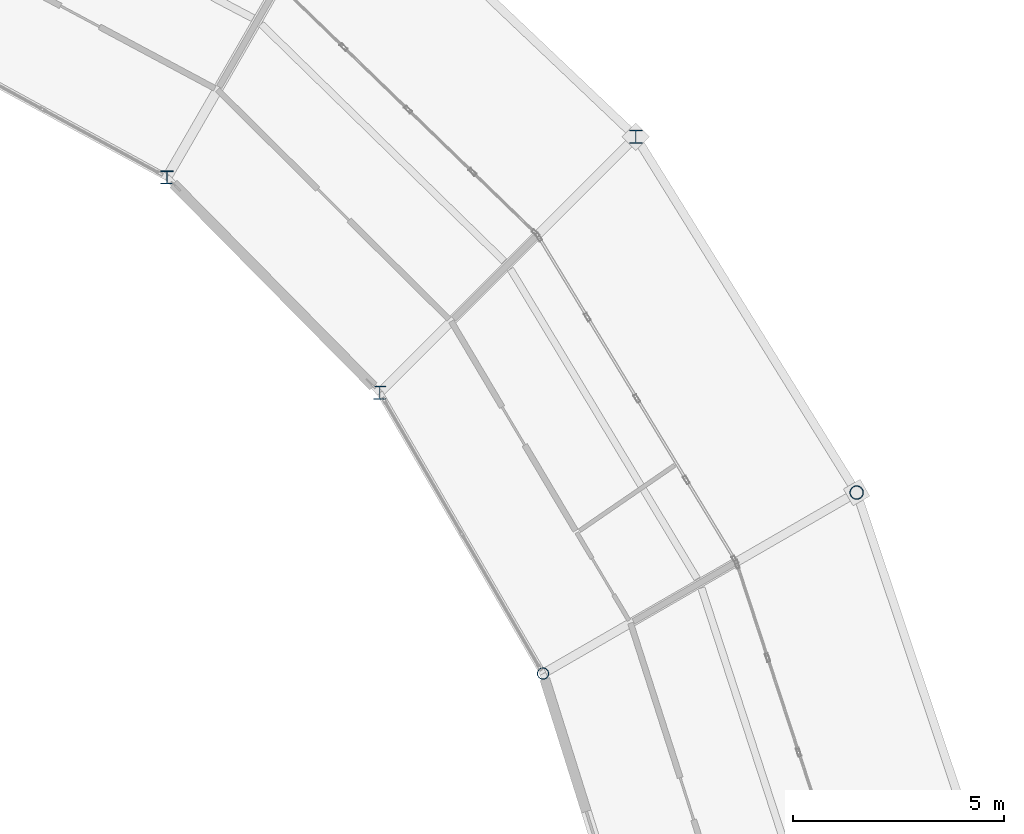
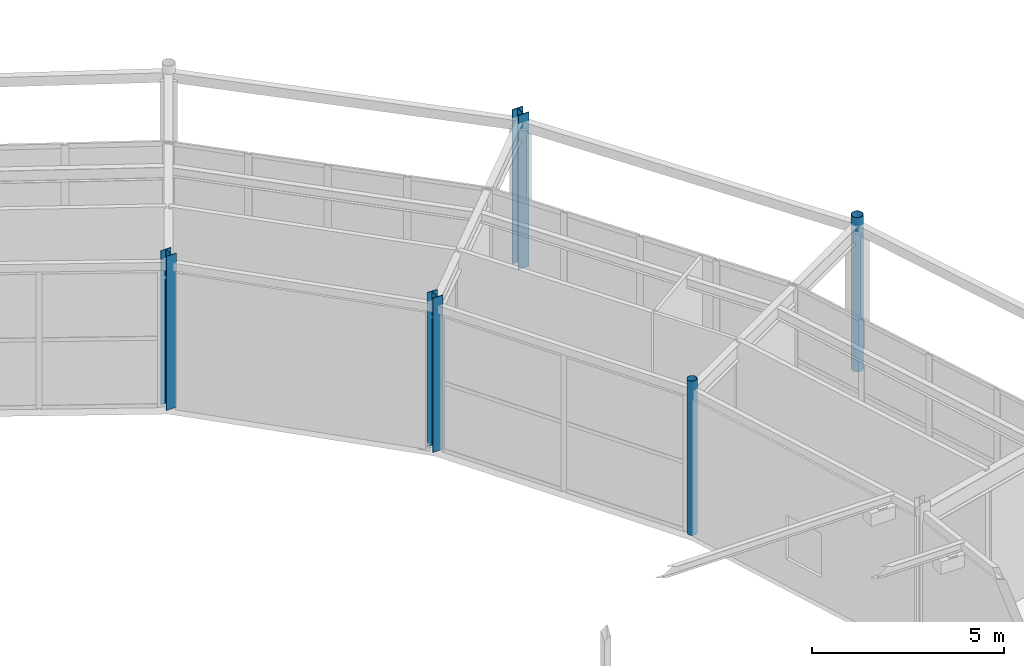
# One storey, part 15 of 144: 5 columns.
"""IFC4 building model written with IfcOpenShell, lengths in metres."""

import ifcopenshell
import ifcopenshell.guid

model = None  # the IFC model being written
_history = None  # IfcOwnerHistory: only IFC2X3 demands one
_inside = {}  # id of a spatial element -> (the spatial element, [elements in it])
_under = {}  # id of a project, library or spatial element -> (it, [spatial elements below it])
_declared = {}  # id of a project -> (the project, [libraries it declares])
_typed = {}  # id of a type object -> (the type object, [elements of that type])
_made_of = {}  # id of a material, layer set ... -> (it, [elements and type objects made of it])


def new_model(schema):
    """Start an empty IFC model of exactly this schema.

    Asked for "IFC4X3", IfcOpenShell would pick the latest addendum, in which some entities
    have other attributes; the version numbers below select the first issue.
    IFC2X3 requires an IfcOwnerHistory on every rooted entity: one is made here for all.
    """
    global model, _history
    if schema == "IFC4X3":
        model = ifcopenshell.file(schema_version=(4, 3, 0, 0))
    else:
        model = ifcopenshell.file(schema=schema)
    _inside.clear()
    _under.clear()
    _declared.clear()
    _typed.clear()
    _made_of.clear()
    _history = None
    if model.schema == "IFC2X3":
        org = make("IfcOrganization", Name="unknown")
        user = make(
            "IfcPersonAndOrganization",
            ThePerson=make("IfcPerson", FamilyName="unknown"),
            TheOrganization=org,
        )
        app = make(
            "IfcApplication",
            ApplicationDeveloper=org,
            Version="unknown",
            ApplicationFullName="unknown",
            ApplicationIdentifier="unknown",
        )
        _history = make(
            "IfcOwnerHistory",
            OwningUser=user,
            OwningApplication=app,
            ChangeAction="ADDED",
            CreationDate=0,
        )
    return model


def make(cls, **values):
    """One entity of the class cls with the attributes given. An attribute that is None is left unset."""
    return model.create_entity(
        cls, **{name: value for name, value in values.items() if value is not None}
    )


def rooted(cls, **values):
    """An entity with a GlobalId (a new one), such as an element, a storey or a relation."""
    return make(cls, GlobalId=ifcopenshell.guid.new(), OwnerHistory=_history, **values)


def si_unit(unit_type, name, prefix=None):
    """IfcSIUnit, for example si_unit("LENGTHUNIT", "METRE", prefix="MILLI")."""
    return make("IfcSIUnit", UnitType=unit_type, Prefix=prefix, Name=name)


def assignment(units):
    """IfcUnitAssignment: the units of a project."""
    return None if units is None else make("IfcUnitAssignment", Units=units)


def point(xyz):
    """IfcCartesianPoint."""
    return None if xyz is None else make("IfcCartesianPoint", Coordinates=xyz)


def direction(xyz):
    """IfcDirection."""
    return None if xyz is None else make("IfcDirection", DirectionRatios=xyz)


def frame(location, z_axis=None, x_axis=None):
    """IfcAxis2Placement3D, a coordinate frame: its origin and axes. An axis left out is left unset."""
    return make(
        "IfcAxis2Placement3D",
        Location=point(location),
        Axis=direction(z_axis),
        RefDirection=direction(x_axis),
    )


def frame_2d(location, x_axis=None):
    """IfcAxis2Placement2D, a coordinate frame in the plane: its origin and x axis."""
    return make(
        "IfcAxis2Placement2D", Location=point(location), RefDirection=direction(x_axis)
    )


def origin():
    """The frame at (0, 0, 0) with its axes left unset."""
    return frame((0.0, 0.0, 0.0))


def origin_2d():
    """The frame at (0, 0) in the plane with its x axis left unset."""
    return frame_2d((0.0, 0.0))


def place(relative_to, where):
    """IfcLocalPlacement: puts the frame where relative to a parent placement (None: the world)."""
    return make(
        "IfcLocalPlacement", PlacementRelTo=relative_to, RelativePlacement=where
    )


def context(
    kind, dimensions, precision=None, world=None, true_north=None, identifier=None
):
    """IfcGeometricRepresentationContext, for example the 3D "Model" context."""
    return make(
        "IfcGeometricRepresentationContext",
        ContextIdentifier=identifier,
        ContextType=kind,
        CoordinateSpaceDimension=dimensions,
        Precision=precision,
        WorldCoordinateSystem=world,
        TrueNorth=true_north,
    )


def subcontext(parent, identifier, kind, view, scale=None):
    """IfcGeometricRepresentationSubContext, for example "Body" below "Model"."""
    return make(
        "IfcGeometricRepresentationSubContext",
        ContextIdentifier=identifier,
        ContextType=kind,
        ParentContext=parent,
        TargetScale=scale,
        TargetView=view,
    )


def project(units=None, contexts=None):
    """IfcProject with its units and contexts."""
    return rooted(
        "IfcProject",
        Name="project",
        RepresentationContexts=contexts,
        UnitsInContext=assignment(units),
    )


def spatial(cls, under=None, at=None, **own):
    """A site, building, storey or space (cls), placed at a placement, below another one or the project."""
    s = rooted(cls, ObjectPlacement=at, **own)
    if under is not None:
        _under.setdefault(under.id(), (under, []))[1].append(s)
    return s


def profile(cls, at=None, kind="AREA", **sizes):
    """A parametric profile (cls). Its sizes go by their IFC names, for example OverallWidth=200.0."""
    return make(cls, ProfileType=kind, Position=at, **sizes)


def hollow_circle(**sizes):
    """IfcCircleHollowProfileDef."""
    return profile("IfcCircleHollowProfileDef", **sizes)


def i_section(**sizes):
    """IfcIShapeProfileDef."""
    return profile("IfcIShapeProfileDef", **sizes)


def extrude(swept, where, along, depth):
    """IfcExtrudedAreaSolid: the profile swept, set in the frame where, extruded along a direction by depth."""
    return make(
        "IfcExtrudedAreaSolid",
        SweptArea=swept,
        Position=where,
        ExtrudedDirection=direction(along),
        Depth=depth,
    )


def shape(context_of_items, identifier, shape_type, items):
    """IfcShapeRepresentation: the items that make up one representation, for example the "Body"."""
    return make(
        "IfcShapeRepresentation",
        ContextOfItems=context_of_items,
        RepresentationIdentifier=identifier,
        RepresentationType=shape_type,
        Items=items,
    )


def material(Name=None, Category=None):
    """IfcMaterial."""
    return make("IfcMaterial", Name=Name, Category=Category)


def material_profile(
    of_material, cross_section, Name=None, Category=None, Priority=None
):
    """IfcMaterialProfile: a cross section and its material."""
    return make(
        "IfcMaterialProfile",
        Name=Name,
        Material=of_material,
        Profile=cross_section,
        Priority=Priority,
        Category=Category,
    )


def profile_set(profiles, Name=None, composite=None):
    """IfcMaterialProfileSet."""
    return make(
        "IfcMaterialProfileSet",
        Name=Name,
        MaterialProfiles=profiles,
        CompositeProfile=composite,
    )


def made_of(thing, what):
    """Note that an element or type object is made of a material, layer set ...; save() writes the relation."""
    if what is not None:
        _made_of.setdefault(what.id(), (what, []))[1].append(thing)
    return thing


def type_object(cls, material=None, **own):
    """A type object (cls), such as IfcWallType, which elements share."""
    return made_of(rooted(cls, **own), material)


def element(
    cls,
    number,
    at=None,
    inside=None,
    cuts=None,
    type_object=None,
    material=None,
    context=None,
    identifier="Body",
    shape_type=None,
    held_by="IfcProductDefinitionShape",
    body=None,
    shapes=None,
    **own,
):
    """One element of the class cls, such as IfcWall. Its Tag is "e" and its number.

    at: its placement. inside: the storey or other place that contains it. cuts: it is an
    opening in that element (IfcRelVoidsElement). A single representation is given by context,
    identifier, shape_type and body (its items); several are given by shapes. held_by: the class
    of the entity that holds the representations. save() writes the other relations.
    """
    e = rooted(cls, Tag="e%d" % number, ObjectPlacement=at, **own)
    if body is not None:
        shapes = [shape(context, identifier, shape_type, body)]
    if shapes is not None:
        e.Representation = make(held_by, Representations=shapes)
    if inside is not None:
        _inside.setdefault(inside.id(), (inside, []))[1].append(e)
    if cuts is not None:
        rooted(
            "IfcRelVoidsElement", RelatingBuildingElement=cuts, RelatedOpeningElement=e
        )
    if type_object is not None:
        _typed.setdefault(type_object.id(), (type_object, []))[1].append(e)
    return made_of(e, material)


def aggregate(whole, parts):
    """IfcRelAggregates: a whole, such as a stair, and the parts it consists of."""
    return rooted("IfcRelAggregates", RelatingObject=whole, RelatedObjects=parts)


def save(model, path):
    """Write the relations noted so far, then the file.

    IfcRelAggregates (storeys below a building ...), IfcRelContainedInSpatialStructure (elements
    in a storey), IfcRelDefinesByType, IfcRelAssociatesMaterial and IfcRelDeclares: one each for
    every whole, place, type object, material and project.
    """
    for whole, parts in _under.values():
        aggregate(whole, parts)
    for where, things in _inside.values():
        rooted(
            "IfcRelContainedInSpatialStructure",
            RelatedElements=things,
            RelatingStructure=where,
        )
    for kind, things in _typed.values():
        rooted("IfcRelDefinesByType", RelatedObjects=things, RelatingType=kind)
    for what, things in _made_of.values():
        rooted("IfcRelAssociatesMaterial", RelatedObjects=things, RelatingMaterial=what)
    for by, libraries in _declared.values():
        rooted("IfcRelDeclares", RelatingContext=by, RelatedDefinitions=libraries)
    model.write(path)


model = new_model("IFC4")

# Units and contexts
model_context = context("Model", 3, precision=1e-05, world=origin(), true_north=direction((0.0, 1.0)))
body_context = subcontext(model_context, "Body", "Model", "MODEL_VIEW")
ifc_project = project(units=[si_unit("LENGTHUNIT", "METRE"), si_unit("AREAUNIT", "SQUARE_METRE"), si_unit("VOLUMEUNIT", "CUBIC_METRE"), si_unit("PLANEANGLEUNIT", "RADIAN"), si_unit("MASSUNIT", "GRAM", prefix="KILO")], contexts=[model_context])

# Site, building, storey
site_placement = place(None, origin())
site = spatial("IfcSite", under=ifc_project, at=site_placement, CompositionType="ELEMENT")
building_placement = place(site_placement, origin())
building = spatial("IfcBuilding", under=site, at=building_placement, Name="Karori Crest Natural Sciences Institute", CompositionType="ELEMENT")
storey_placement = place(building_placement, origin())
storey = spatial("IfcBuildingStorey", under=building, at=storey_placement, Name="L00", CompositionType="ELEMENT", Elevation=0.0)

# Columns
ifc_material_1 = material(Name="Structural steel AS/NZS 3679.1 Grade 350", Category="steel")
ifc_material_profile_1 = material_profile(ifc_material_1, i_section(OverallWidth=0.31103515625, OverallDepth=0.326904296875, WebThickness=0.015625, FlangeThickness=0.02490234375, FilletRadius=0.01708984375, at=origin_2d()), Name="310UC158")
ifc_profile_set_1 = profile_set([ifc_material_profile_1], Name="Structural steel AS/NZS 3679.1 Grade 350")
column_type_1 = type_object("IfcColumnType", Name="CT-04", PredefinedType="COLUMN", material=ifc_profile_set_1)
column_1_placement = place(storey_placement, frame((89.734619140625, 78.75, 0.0), z_axis=(0.0, 0.0, 1.0), x_axis=(1.0, 0.0, 0.0)))
element("IfcColumn", 1, at=column_1_placement, inside=storey, type_object=column_type_1, Name="Column C-0057", PredefinedType="COLUMN", context=body_context, shape_type="SweptSolid", body=[
    extrude(i_section(OverallWidth=0.31103515625, OverallDepth=0.326904296875, WebThickness=0.015625, FlangeThickness=0.02490234375, FilletRadius=0.01708984375, at=origin_2d()), origin(), (0.0, 0.0, 1.0), 4.89990234375),
])
ifc_material_profile_2 = material_profile(ifc_material_1, i_section(OverallWidth=0.306884765625, OverallDepth=0.31494140625, WebThickness=0.011962890625, FlangeThickness=0.018798828125, FilletRadius=0.01708984375, at=origin_2d()), Name="310UC118")
ifc_profile_set_2 = profile_set([ifc_material_profile_2], Name="Structural steel AS/NZS 3679.1 Grade 350")
column_type_2 = type_object("IfcColumnType", Name="CT-05", PredefinedType="COLUMN", material=ifc_profile_set_2)
column_2_placement = place(storey_placement, frame((83.6533203125, 72.668701171875, 0.0), z_axis=(0.0, 0.0, 1.0), x_axis=(1.0, 0.0, 0.0)))
element("IfcColumn", 2, at=column_2_placement, inside=storey, type_object=column_type_2, Name="Column C-0058", PredefinedType="COLUMN", context=body_context, shape_type="SweptSolid", body=[
    extrude(i_section(OverallWidth=0.306884765625, OverallDepth=0.31494140625, WebThickness=0.011962890625, FlangeThickness=0.018798828125, FilletRadius=0.01708984375, at=origin_2d()), origin(), (0.0, 0.0, 1.0), 4.89990234375),
])
ifc_material_2 = material(Name="Hollow structural steel AS/NZS 1163 Grade C350", Category="steel")
ifc_material_profile_3 = material_profile(ifc_material_2, hollow_circle(Radius=0.161865234375, WallThickness=0.0126953125, at=origin_2d()), Name="CHS323.9x12.7")
ifc_profile_set_3 = profile_set([ifc_material_profile_3], Name="Hollow structural steel AS/NZS 1163 Grade C350")
column_type_3 = type_object("IfcColumnType", Name="CT-15", PredefinedType="COLUMN", material=ifc_profile_set_3)
column_3_placement = place(storey_placement, frame((94.978759765625, 70.300048828125, 0.0), z_axis=(0.0, 0.0, 1.0), x_axis=(1.0, 0.0, 0.0)))
element("IfcColumn", 3, at=column_3_placement, inside=storey, type_object=column_type_3, Name="Column C-0039", PredefinedType="COLUMN", context=body_context, shape_type="SweptSolid", body=[
    extrude(hollow_circle(Radius=0.161865234375, WallThickness=0.0126953125, at=origin_2d()), origin(), (0.0, 0.0, 1.0), 4.89990234375),
])
ifc_material_profile_4 = material_profile(ifc_material_2, hollow_circle(Radius=0.136474609375, WallThickness=0.00927734375, at=origin_2d()), Name="CHS273.0x9.3")
ifc_profile_set_4 = profile_set([ifc_material_profile_4], Name="Hollow structural steel AS/NZS 1163 Grade C350")
column_type_4 = type_object("IfcColumnType", Name="CT-16", PredefinedType="COLUMN", material=ifc_profile_set_4)
column_4_placement = place(storey_placement, frame((87.531005859375, 66.0, 0.0), z_axis=(0.0, 0.0, 1.0), x_axis=(1.0, 0.0, 0.0)))
element("IfcColumn", 4, at=column_4_placement, inside=storey, type_object=column_type_4, Name="Column C-0040", PredefinedType="COLUMN", context=body_context, shape_type="SweptSolid", body=[
    extrude(hollow_circle(Radius=0.136474609375, WallThickness=0.00927734375, at=origin_2d()), origin(), (0.0, 0.0, 1.0), 4.89990234375),
])
ifc_material_profile_5 = material_profile(ifc_material_1, i_section(OverallWidth=0.304931640625, OverallDepth=0.30810546875, WebThickness=0.010009765625, FlangeThickness=0.015380859375, FilletRadius=0.01708984375, at=origin_2d()), Name="310UC96.8")
ifc_profile_set_5 = profile_set([ifc_material_profile_5], Name="Structural steel AS/NZS 3679.1 Grade 350")
column_type_5 = type_object("IfcColumnType", Name="CT-25", PredefinedType="COLUMN", material=ifc_profile_set_5)
column_5_placement = place(storey_placement, frame((78.60009765625, 77.785888671875, 0.0), z_axis=(0.0, 0.0, 1.0), x_axis=(1.0, 0.0, 0.0)))
element("IfcColumn", 5, at=column_5_placement, inside=storey, type_object=column_type_5, Name="Column C-0076", PredefinedType="COLUMN", context=body_context, shape_type="SweptSolid", body=[
    extrude(i_section(OverallWidth=0.304931640625, OverallDepth=0.30810546875, WebThickness=0.010009765625, FlangeThickness=0.015380859375, FilletRadius=0.01708984375, at=origin_2d()), origin(), (0.0, 0.0, 1.0), 4.89990234375),
])

save(model, "model.ifc")
